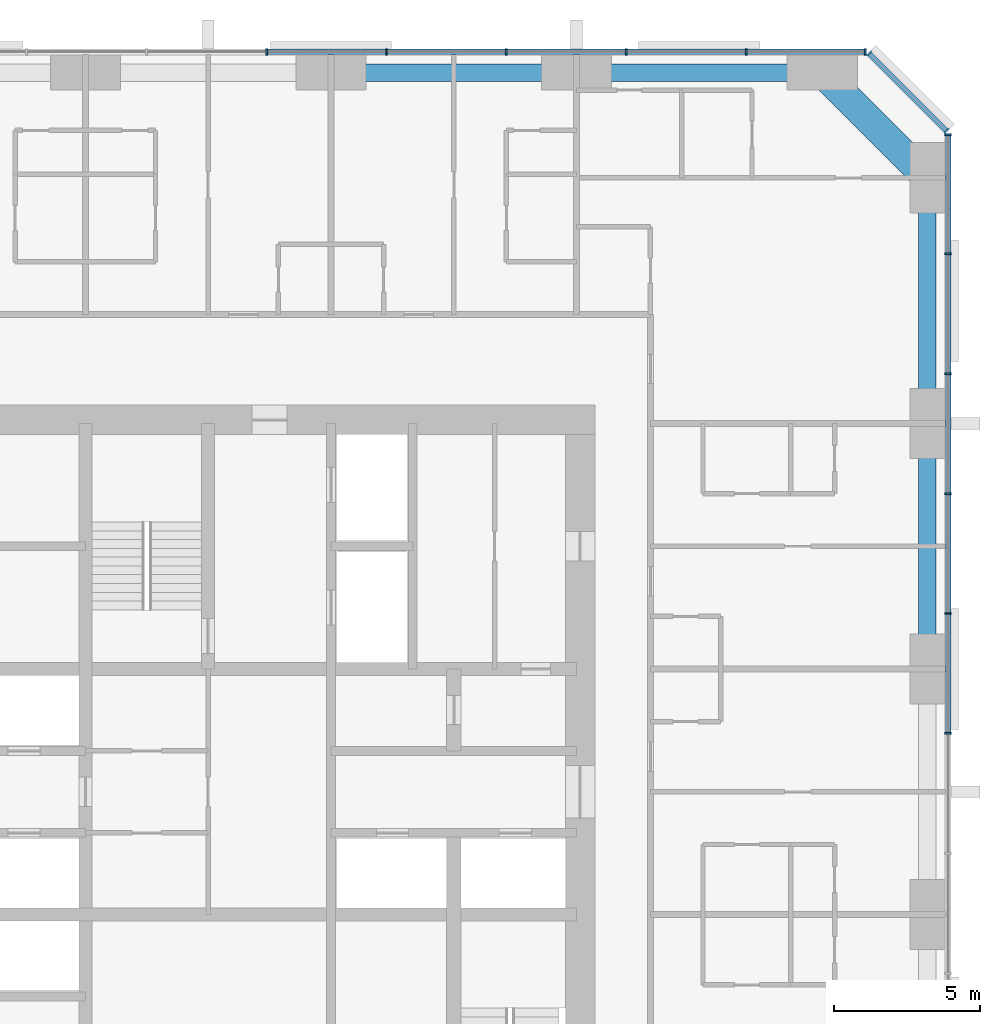
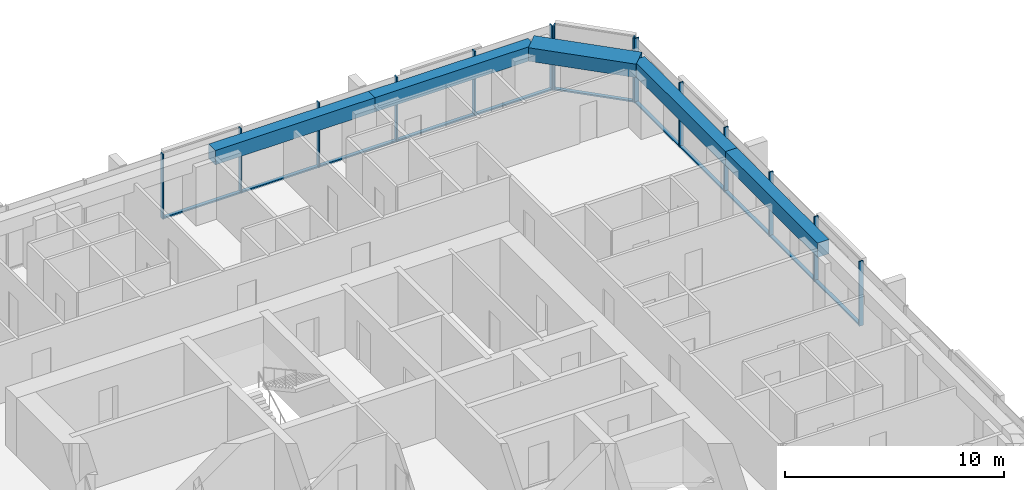
# One storey, part 6 of 14: 25 members, 5 beams, 3 elements without a shape of their own.
"""IFC4 building model written with IfcOpenShell, lengths in metres."""

from ifc_helpers import new_model, si_unit, direction, frame, origin, origin_2d, place, context, subcontext, project, spatial, rectangle, extrude, material, material_profile, profile_set, type_object, element, aggregate, save


model = new_model("IFC4")

# Units and contexts
model_context = context("Model", 3, precision=1e-05, world=origin(), true_north=direction((0.0, 1.0)))
body_context = subcontext(model_context, "Body", "Model", "MODEL_VIEW")
ifc_project = project(units=[si_unit("LENGTHUNIT", "METRE"), si_unit("AREAUNIT", "SQUARE_METRE"), si_unit("VOLUMEUNIT", "CUBIC_METRE"), si_unit("PLANEANGLEUNIT", "RADIAN"), si_unit("MASSUNIT", "GRAM", prefix="KILO")], contexts=[model_context])

# Site, building, storey
site_placement = place(None, origin())
site = spatial("IfcSite", under=ifc_project, at=site_placement, CompositionType="ELEMENT")
building_placement = place(site_placement, origin())
building = spatial("IfcBuilding", under=site, at=building_placement, Name="Dunama Terrace Hotel", CompositionType="ELEMENT")
storey_placement = place(building_placement, frame((0.0, 0.0, 126.0)))
storey = spatial("IfcBuildingStorey", under=building, at=storey_placement, Name="L32", CompositionType="ELEMENT", Elevation=126.0)

# Curtain wall, members
ifc_material_1 = material(Name="Aluminium curtain wall system", Category="aluminium")
curtain_wall_type = type_object("IfcCurtainWallType", Name="Unitised fritted glass wall CW-B", PredefinedType="NOTDEFINED", material=ifc_material_1)
curtain_wall_1_placement = place(storey_placement, origin())
curtain_wall_1 = element("IfcCurtainWall", 1, at=curtain_wall_1_placement, inside=storey, type_object=curtain_wall_type, Name="Unitised fritted glass wall CW-B L32", PredefinedType="NOTDEFINED")
ifc_material_2 = material(Name="Aluminium mullion", Category="aluminium")
ifc_material_profile_1 = material_profile(ifc_material_2, rectangle(XDim=0.06494140625, YDim=0.219970703125, at=origin_2d()), Name="CWB MULLION 65X220")
ifc_profile_set_1 = profile_set([ifc_material_profile_1], Name="Aluminium mullion")
member_type_1 = type_object("IfcMemberType", Name="CWB mullion 65x220", PredefinedType="MULLION", material=ifc_profile_set_1)
member_1_placement = place(storey_placement, frame((54.7099609375, 31.39990234375, 0.0), z_axis=(0.0, 0.0, 1.0), x_axis=(0.0, 1.0, 0.0)))
member_1 = element("IfcMember", 2, at=member_1_placement, type_object=member_type_1, Name="CWB mullion", PredefinedType="MULLION", context=body_context, shape_type="SweptSolid", body=[
    extrude(rectangle(XDim=0.06494140625, YDim=0.219970703125, at=origin_2d()), origin(), (0.0, 0.0, 1.0), 3.60009765625),
])
member_2_placement = place(storey_placement, frame((54.7099609375, 35.5, 0.0), z_axis=(0.0, 0.0, 1.0), x_axis=(0.0, 1.0, 0.0)))
member_2 = element("IfcMember", 3, at=member_2_placement, type_object=member_type_1, Name="CWB mullion", PredefinedType="MULLION", context=body_context, shape_type="SweptSolid", body=[
    extrude(rectangle(XDim=0.06494140625, YDim=0.219970703125, at=origin_2d()), origin(), (0.0, 0.0, 1.0), 3.60009765625),
])
member_3_placement = place(storey_placement, frame((54.7099609375, 39.60009765625, 0.0), z_axis=(0.0, 0.0, 1.0), x_axis=(0.0, 1.0, 0.0)))
member_3 = element("IfcMember", 4, at=member_3_placement, type_object=member_type_1, Name="CWB mullion", PredefinedType="MULLION", context=body_context, shape_type="SweptSolid", body=[
    extrude(rectangle(XDim=0.06494140625, YDim=0.219970703125, at=origin_2d()), origin(), (0.0, 0.0, 1.0), 3.60009765625),
])
member_4_placement = place(storey_placement, frame((54.7099609375, 43.699951171875, 0.0), z_axis=(0.0, 0.0, 1.0), x_axis=(0.0, 1.0, 0.0)))
member_4 = element("IfcMember", 5, at=member_4_placement, type_object=member_type_1, Name="CWB mullion", PredefinedType="MULLION", context=body_context, shape_type="SweptSolid", body=[
    extrude(rectangle(XDim=0.06494140625, YDim=0.219970703125, at=origin_2d()), origin(), (0.0, 0.0, 1.0), 3.60009765625),
])
member_5_placement = place(storey_placement, frame((54.7099609375, 47.800048828125, 0.0), z_axis=(0.0, 0.0, 1.0), x_axis=(0.0, 1.0, 0.0)))
member_5 = element("IfcMember", 6, at=member_5_placement, type_object=member_type_1, Name="CWB mullion", PredefinedType="MULLION", context=body_context, shape_type="SweptSolid", body=[
    extrude(rectangle(XDim=0.06494140625, YDim=0.219970703125, at=origin_2d()), origin(), (0.0, 0.0, 1.0), 3.60009765625),
])
member_6_placement = place(storey_placement, frame((54.7099609375, 51.866943359375, 0.0), z_axis=(0.0, 0.0, 1.0), x_axis=(0.0, 1.0, 0.0)))
member_6 = element("IfcMember", 7, at=member_6_placement, type_object=member_type_1, Name="CWB mullion", PredefinedType="MULLION", context=body_context, shape_type="SweptSolid", body=[
    extrude(rectangle(XDim=0.06494140625, YDim=0.219970703125, at=origin_2d()), origin(), (0.0, 0.0, 1.0), 3.60009765625),
])

curtain_wall_2_placement = place(storey_placement, origin())
curtain_wall_2 = element("IfcCurtainWall", 8, at=curtain_wall_2_placement, inside=storey, type_object=curtain_wall_type, Name="Unitised fritted glass wall CW-B L32", PredefinedType="NOTDEFINED")
member_7_placement = place(storey_placement, frame((54.655029296875, 52.0009765625, 0.0), z_axis=(0.0, 0.0, 1.0), x_axis=(-0.707106781187, 0.707106781187, 0.0)))
member_7 = element("IfcMember", 9, at=member_7_placement, type_object=member_type_1, Name="CWB mullion", PredefinedType="MULLION", context=body_context, shape_type="SweptSolid", body=[
    extrude(rectangle(XDim=0.06494140625, YDim=0.219970703125, at=origin_2d()), origin(), (0.0, 0.0, 1.0), 3.60009765625),
])
member_8_placement = place(storey_placement, frame((52.0009765625, 54.655029296875, 0.0), z_axis=(0.0, 0.0, 1.0), x_axis=(-0.707106781187, 0.707106781187, 0.0)))
member_8 = element("IfcMember", 10, at=member_8_placement, type_object=member_type_1, Name="CWB mullion", PredefinedType="MULLION", context=body_context, shape_type="SweptSolid", body=[
    extrude(rectangle(XDim=0.06494140625, YDim=0.219970703125, at=origin_2d()), origin(), (0.0, 0.0, 1.0), 3.60009765625),
])

curtain_wall_3_placement = place(storey_placement, origin())
curtain_wall_3 = element("IfcCurtainWall", 11, at=curtain_wall_3_placement, inside=storey, type_object=curtain_wall_type, Name="Unitised fritted glass wall CW-B L32", PredefinedType="NOTDEFINED")
member_9_placement = place(storey_placement, frame((51.866943359375, 54.7099609375, 0.0), z_axis=(0.0, 0.0, 1.0), x_axis=(-1.0, 0.0, 0.0)))
member_9 = element("IfcMember", 12, at=member_9_placement, type_object=member_type_1, Name="CWB mullion", PredefinedType="MULLION", context=body_context, shape_type="SweptSolid", body=[
    extrude(rectangle(XDim=0.06494140625, YDim=0.219970703125, at=origin_2d()), origin(), (0.0, 0.0, 1.0), 3.60009765625),
])
member_10_placement = place(storey_placement, frame((47.800048828125, 54.7099609375, 0.0), z_axis=(0.0, 0.0, 1.0), x_axis=(-1.0, 0.0, 0.0)))
member_10 = element("IfcMember", 13, at=member_10_placement, type_object=member_type_1, Name="CWB mullion", PredefinedType="MULLION", context=body_context, shape_type="SweptSolid", body=[
    extrude(rectangle(XDim=0.06494140625, YDim=0.219970703125, at=origin_2d()), origin(), (0.0, 0.0, 1.0), 3.60009765625),
])
member_11_placement = place(storey_placement, frame((43.699951171875, 54.7099609375, 0.0), z_axis=(0.0, 0.0, 1.0), x_axis=(-1.0, 0.0, 0.0)))
member_11 = element("IfcMember", 14, at=member_11_placement, type_object=member_type_1, Name="CWB mullion", PredefinedType="MULLION", context=body_context, shape_type="SweptSolid", body=[
    extrude(rectangle(XDim=0.06494140625, YDim=0.219970703125, at=origin_2d()), origin(), (0.0, 0.0, 1.0), 3.60009765625),
])
member_12_placement = place(storey_placement, frame((39.60009765625, 54.7099609375, 0.0), z_axis=(0.0, 0.0, 1.0), x_axis=(-1.0, 0.0, 0.0)))
member_12 = element("IfcMember", 15, at=member_12_placement, type_object=member_type_1, Name="CWB mullion", PredefinedType="MULLION", context=body_context, shape_type="SweptSolid", body=[
    extrude(rectangle(XDim=0.06494140625, YDim=0.219970703125, at=origin_2d()), origin(), (0.0, 0.0, 1.0), 3.60009765625),
])
member_13_placement = place(storey_placement, frame((35.5, 54.7099609375, 0.0), z_axis=(0.0, 0.0, 1.0), x_axis=(-1.0, 0.0, 0.0)))
member_13 = element("IfcMember", 16, at=member_13_placement, type_object=member_type_1, Name="CWB mullion", PredefinedType="MULLION", context=body_context, shape_type="SweptSolid", body=[
    extrude(rectangle(XDim=0.06494140625, YDim=0.219970703125, at=origin_2d()), origin(), (0.0, 0.0, 1.0), 3.60009765625),
])
member_14_placement = place(storey_placement, frame((31.39990234375, 54.7099609375, 0.0), z_axis=(0.0, 0.0, 1.0), x_axis=(-1.0, 0.0, 0.0)))
member_14 = element("IfcMember", 17, at=member_14_placement, type_object=member_type_1, Name="CWB mullion", PredefinedType="MULLION", context=body_context, shape_type="SweptSolid", body=[
    extrude(rectangle(XDim=0.06494140625, YDim=0.219970703125, at=origin_2d()), origin(), (0.0, 0.0, 1.0), 3.60009765625),
])

# Member
ifc_material_3 = material(Name="Aluminium transom", Category="aluminium")
ifc_material_profile_2 = material_profile(ifc_material_3, rectangle(XDim=0.179931640625, YDim=0.080078125, at=origin_2d()), Name="CWB TRANSOM 180X80")
ifc_profile_set_2 = profile_set([ifc_material_profile_2], Name="Aluminium transom")
member_type_2 = type_object("IfcMemberType", Name="CWB transom 180x80", PredefinedType="USERDEFINED", material=ifc_profile_set_2)
member_15_placement = place(storey_placement, frame((54.7099609375, 31.431884765625, 0.0400390625), z_axis=(0.0, 1.0, 0.0), x_axis=(-1.0, 0.0, 0.0)))
member_15 = element("IfcMember", 18, at=member_15_placement, type_object=member_type_2, Name="CWB transom", ObjectType="TRANSOM", PredefinedType="USERDEFINED", context=body_context, shape_type="SweptSolid", body=[
    extrude(rectangle(XDim=0.179931640625, YDim=0.080078125, at=origin_2d()), origin(), (0.0, 0.0, 1.0), 4.0361328125),
])

member_16_placement = place(storey_placement, frame((54.7099609375, 35.531982421875, 0.0400390625), z_axis=(0.0, 1.0, 0.0), x_axis=(-1.0, 0.0, 0.0)))
member_16 = element("IfcMember", 19, at=member_16_placement, type_object=member_type_2, Name="CWB transom", ObjectType="TRANSOM", PredefinedType="USERDEFINED", context=body_context, shape_type="SweptSolid", body=[
    extrude(rectangle(XDim=0.179931640625, YDim=0.080078125, at=origin_2d()), origin(), (0.0, 0.0, 1.0), 4.0361328125),
])

member_17_placement = place(storey_placement, frame((54.7099609375, 39.633056640625, 0.0400390625), z_axis=(0.0, 1.0, 0.0), x_axis=(-1.0, 0.0, 0.0)))
member_17 = element("IfcMember", 20, at=member_17_placement, type_object=member_type_2, Name="CWB transom", ObjectType="TRANSOM", PredefinedType="USERDEFINED", context=body_context, shape_type="SweptSolid", body=[
    extrude(rectangle(XDim=0.179931640625, YDim=0.080078125, at=origin_2d()), origin(), (0.0, 0.0, 1.0), 4.034912109375),
])

member_18_placement = place(storey_placement, frame((54.7099609375, 43.73291015625, 0.0400390625), z_axis=(0.0, 1.0, 0.0), x_axis=(-1.0, 0.0, 0.0)))
member_18 = element("IfcMember", 21, at=member_18_placement, type_object=member_type_2, Name="CWB transom", ObjectType="TRANSOM", PredefinedType="USERDEFINED", context=body_context, shape_type="SweptSolid", body=[
    extrude(rectangle(XDim=0.179931640625, YDim=0.080078125, at=origin_2d()), origin(), (0.0, 0.0, 1.0), 4.0341796875),
])

member_19_placement = place(storey_placement, frame((54.7099609375, 47.83203125, 0.0400390625), z_axis=(0.0, 1.0, 0.0), x_axis=(-1.0, 0.0, 0.0)))
member_19 = element("IfcMember", 22, at=member_19_placement, type_object=member_type_2, Name="CWB transom", ObjectType="TRANSOM", PredefinedType="USERDEFINED", context=body_context, shape_type="SweptSolid", body=[
    extrude(rectangle(XDim=0.179931640625, YDim=0.080078125, at=origin_2d()), origin(), (0.0, 0.0, 1.0), 4.0029296875),
])

aggregate(curtain_wall_1, [member_1, member_2, member_3, member_4, member_5, member_6, member_15, member_16, member_17, member_18, member_19])

member_20_placement = place(storey_placement, frame((54.632080078125, 52.02392578125, 0.0400390625), z_axis=(-0.707106781187, 0.707106781187, 0.0), x_axis=(-0.707106781187, -0.707106781187, 0.0)))
member_20 = element("IfcMember", 23, at=member_20_placement, type_object=member_type_2, Name="CWB transom", ObjectType="TRANSOM", PredefinedType="USERDEFINED", context=body_context, shape_type="SweptSolid", body=[
    extrude(rectangle(XDim=0.179931640625, YDim=0.080078125, at=origin_2d()), origin(), (0.0, 0.0, 1.0), 3.6884765625),
])

aggregate(curtain_wall_2, [member_7, member_8, member_20])

member_21_placement = place(storey_placement, frame((51.8349609375, 54.7099609375, 0.0400390625), z_axis=(-1.0, 0.0, 0.0), x_axis=(0.0, -1.0, 0.0)))
member_21 = element("IfcMember", 24, at=member_21_placement, type_object=member_type_2, Name="CWB transom", ObjectType="TRANSOM", PredefinedType="USERDEFINED", context=body_context, shape_type="SweptSolid", body=[
    extrude(rectangle(XDim=0.179931640625, YDim=0.080078125, at=origin_2d()), origin(), (0.0, 0.0, 1.0), 4.0029296875),
])

member_22_placement = place(storey_placement, frame((47.76708984375, 54.7099609375, 0.0400390625), z_axis=(-1.0, 0.0, 0.0), x_axis=(0.0, -1.0, 0.0)))
member_22 = element("IfcMember", 25, at=member_22_placement, type_object=member_type_2, Name="CWB transom", ObjectType="TRANSOM", PredefinedType="USERDEFINED", context=body_context, shape_type="SweptSolid", body=[
    extrude(rectangle(XDim=0.179931640625, YDim=0.080078125, at=origin_2d()), origin(), (0.0, 0.0, 1.0), 4.0341796875),
])

member_23_placement = place(storey_placement, frame((43.6669921875, 54.7099609375, 0.0400390625), z_axis=(-1.0, 0.0, 0.0), x_axis=(0.0, -1.0, 0.0)))
member_23 = element("IfcMember", 26, at=member_23_placement, type_object=member_type_2, Name="CWB transom", ObjectType="TRANSOM", PredefinedType="USERDEFINED", context=body_context, shape_type="SweptSolid", body=[
    extrude(rectangle(XDim=0.179931640625, YDim=0.080078125, at=origin_2d()), origin(), (0.0, 0.0, 1.0), 4.033935546875),
])

member_24_placement = place(storey_placement, frame((39.56689453125, 54.7099609375, 0.0400390625), z_axis=(-1.0, 0.0, 0.0), x_axis=(0.0, -1.0, 0.0)))
member_24 = element("IfcMember", 27, at=member_24_placement, type_object=member_type_2, Name="CWB transom", ObjectType="TRANSOM", PredefinedType="USERDEFINED", context=body_context, shape_type="SweptSolid", body=[
    extrude(rectangle(XDim=0.179931640625, YDim=0.080078125, at=origin_2d()), origin(), (0.0, 0.0, 1.0), 4.034912109375),
])

member_25_placement = place(storey_placement, frame((35.468017578125, 54.7099609375, 0.0400390625), z_axis=(-1.0, 0.0, 0.0), x_axis=(0.0, -1.0, 0.0)))
member_25 = element("IfcMember", 28, at=member_25_placement, type_object=member_type_2, Name="CWB transom", ObjectType="TRANSOM", PredefinedType="USERDEFINED", context=body_context, shape_type="SweptSolid", body=[
    extrude(rectangle(XDim=0.179931640625, YDim=0.080078125, at=origin_2d()), origin(), (0.0, 0.0, 1.0), 4.0361328125),
])

aggregate(curtain_wall_3, [member_9, member_10, member_11, member_12, member_13, member_14, member_21, member_22, member_23, member_24, member_25])

# Beams
ifc_material_4 = material(Name="Concrete C50/60", Category="concrete")
ifc_material_profile_3 = material_profile(ifc_material_4, rectangle(XDim=1.0, YDim=0.75, at=origin_2d()), Name="RC 1000x750")
ifc_profile_set_3 = profile_set([ifc_material_profile_3], Name="Concrete C50/60")
beam_type_1 = type_object("IfcBeamType", Name="Edge beam RC 1000x750", PredefinedType="SPANDREL", material=ifc_profile_set_3)
beam_placement = place(storey_placement, frame((50.39990234375, 54.0, 3.22509765625), z_axis=(0.707106781187, -0.707106781187, 0.0), x_axis=(0.707106781187, 0.707106781187, 0.0)))
element("IfcBeam", 29, at=beam_placement, inside=storey, type_object=beam_type_1, Name="Corner edge beam under L33", PredefinedType="SPANDREL", context=body_context, shape_type="SweptSolid", body=[
    extrude(rectangle(XDim=1.0, YDim=0.75, at=origin_2d()), origin(), (0.0, 0.0, 1.0), 5.09130859375),
])
ifc_material_5 = material(Name="Concrete C40/50", Category="concrete")
ifc_material_profile_4 = material_profile(ifc_material_5, rectangle(XDim=0.60009765625, YDim=0.800048828125, at=origin_2d()), Name="RC 600x800")
ifc_profile_set_4 = profile_set([ifc_material_profile_4], Name="Concrete C40/50")
beam_type_2 = type_object("IfcBeamType", Name="Edge beam RC 600x800", PredefinedType="SPANDREL", material=ifc_profile_set_4)
for number, where, z_axis, x_axis, name in (
    (30, (54.0, 33.60009765625, 3.199951171875), (0.0, 1.0, 0.0), (-1.0, 0.0, 0.0), "Edge beam under L33"),
    (31, (54.0, 42.0, 3.199951171875), (0.0, 1.0, 0.0), (-1.0, 0.0, 0.0), "Edge beam under L33"),
    (32, (33.60009765625, 54.0, 3.199951171875), (1.0, 0.0, 0.0), (0.0, 1.0, 0.0), "Edge beam under L33"),
    (33, (42.0, 54.0, 3.199951171875), (1.0, 0.0, 0.0), (0.0, 1.0, 0.0), "Edge beam under L33"),
):
    element("IfcBeam", number, at=place(storey_placement, frame(where, z_axis=z_axis, x_axis=x_axis)), inside=storey, type_object=beam_type_2, Name=name, PredefinedType="SPANDREL", context=body_context, shape_type="SweptSolid", body=[
        extrude(rectangle(XDim=0.60009765625, YDim=0.800048828125, at=origin_2d()), origin(), (0.0, 0.0, 1.0), 8.39990234375),
    ])

save(model, "model.ifc")
